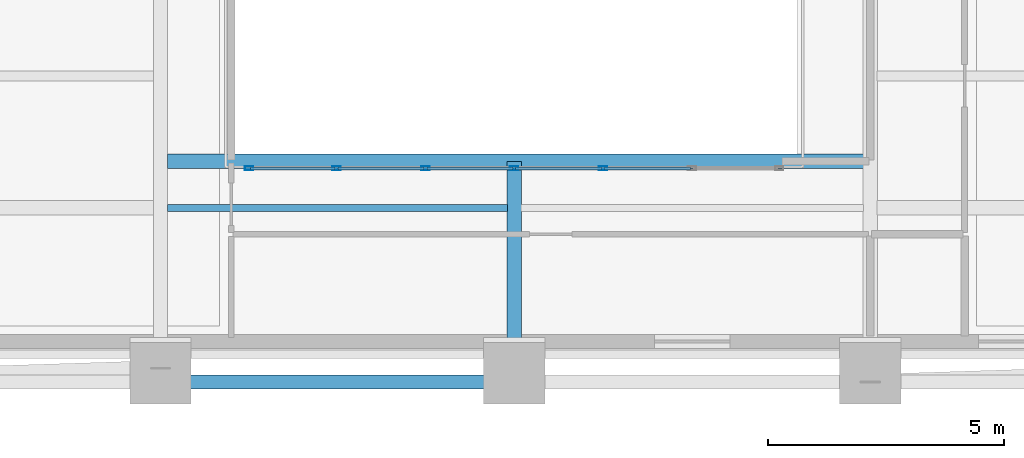
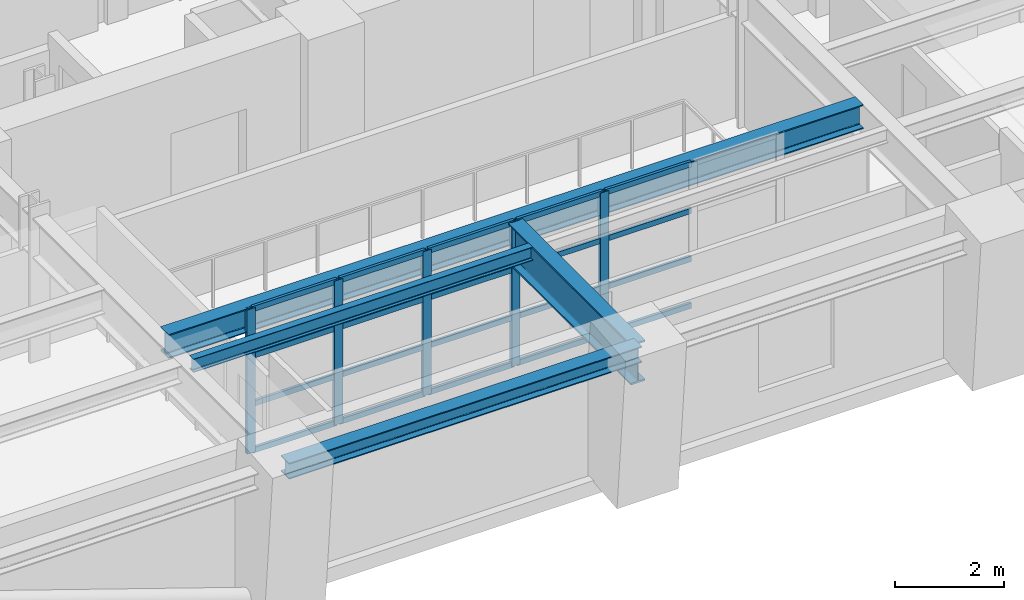
# One storey, part 2 of 14: 25 members, 4 beams, 1 element without a shape of its own.
"""IFC4 building model written with IfcOpenShell, lengths in metres."""

from ifc_helpers import new_model, si_unit, direction, frame, origin, origin_2d, place, context, subcontext, project, spatial, hollow_rectangle, i_section, extrude, material, layer, layer_set, material_profile, profile_set, type_object, element, aggregate, save


model = new_model("IFC4")

# Units and contexts
model_context = context("Model", 3, precision=1e-05, world=origin(), true_north=direction((0.0, 1.0)))
body_context = subcontext(model_context, "Body", "Model", "MODEL_VIEW")
ifc_project = project(units=[si_unit("LENGTHUNIT", "METRE"), si_unit("AREAUNIT", "SQUARE_METRE"), si_unit("VOLUMEUNIT", "CUBIC_METRE"), si_unit("PLANEANGLEUNIT", "RADIAN"), si_unit("MASSUNIT", "GRAM", prefix="KILO")], contexts=[model_context])

# Site, building, storey
site_placement = place(None, origin())
site = spatial("IfcSite", under=ifc_project, at=site_placement, CompositionType="ELEMENT")
building_placement = place(site_placement, origin())
building = spatial("IfcBuilding", under=site, at=building_placement, Name="Zarnavel Station Tower", CompositionType="ELEMENT")
storey_placement = place(building_placement, frame((0.0, 0.0, 108.300048828125)))
storey = spatial("IfcBuildingStorey", under=building, at=storey_placement, Name="L29", CompositionType="ELEMENT", Elevation=108.300048828125)

# Curtain wall, members
ifc_material_1 = material(Name="Aluminium Dark Anodised and Solar-Control Glass", Category="aluminium")
ifc_layer = layer(ifc_material_1, 0.179931640625)
ifc_layer_set = layer_set([ifc_layer], Name="CWS3")
curtain_wall_type = type_object("IfcCurtainWallType", Name="CWS3", PredefinedType="NOTDEFINED", material=ifc_layer_set)
curtain_wall_placement = place(storey_placement, origin())
curtain_wall = element("IfcCurtainWall", 1, at=curtain_wall_placement, inside=storey, type_object=curtain_wall_type, Name="L29 Curtain Wall CWS3-L29-AS", PredefinedType="NOTDEFINED")
ifc_material_2 = material(Name="Steel S355J2 (Black Fluoropolymer Coated)", Category="steel")
ifc_material_profile_1 = material_profile(ifc_material_2, hollow_rectangle(XDim=0.080078125, YDim=0.179931640625, WallThickness=0.00634765625, at=origin_2d()), Name="RHS180x80x6.3")
ifc_profile_set_1 = profile_set([ifc_material_profile_1], Name="Steel S355J2 (Black Fluoropolymer Coated)")
member_type_1 = type_object("IfcMemberType", Name="CWS3_MUL", PredefinedType="MULLION", material=ifc_profile_set_1)
member_1_placement = place(storey_placement, frame((23.179931640625, 20.64990234375, 0.0), z_axis=(0.0, 0.0, 1.0), x_axis=(0.0, 1.0, 0.0)))
member_1 = element("IfcMember", 2, at=member_1_placement, type_object=member_type_1, Name="CW3 mullion 1", PredefinedType="MULLION", context=body_context, shape_type="SweptSolid", body=[
    extrude(hollow_rectangle(XDim=0.080078125, YDim=0.179931640625, WallThickness=0.00634765625, at=origin_2d()), origin(), (0.0, 0.0, 1.0), 3.239990234375),
])
member_2_placement = place(storey_placement, frame((25.033447265625, 20.64990234375, 0.0), z_axis=(0.0, 0.0, 1.0), x_axis=(0.0, 1.0, 0.0)))
member_2 = element("IfcMember", 3, at=member_2_placement, type_object=member_type_1, Name="CW3 mullion 2", PredefinedType="MULLION", context=body_context, shape_type="SweptSolid", body=[
    extrude(hollow_rectangle(XDim=0.080078125, YDim=0.179931640625, WallThickness=0.00634765625, at=origin_2d()), origin(), (0.0, 0.0, 1.0), 3.239990234375),
])
member_3_placement = place(storey_placement, frame((26.916748046875, 20.64990234375, 0.0), z_axis=(0.0, 0.0, 1.0), x_axis=(0.0, 1.0, 0.0)))
member_3 = element("IfcMember", 4, at=member_3_placement, type_object=member_type_1, Name="CW3 mullion 3", PredefinedType="MULLION", context=body_context, shape_type="SweptSolid", body=[
    extrude(hollow_rectangle(XDim=0.080078125, YDim=0.179931640625, WallThickness=0.00634765625, at=origin_2d()), origin(), (0.0, 0.0, 1.0), 3.239990234375),
])
member_4_placement = place(storey_placement, frame((28.800048828125, 20.64990234375, 0.0), z_axis=(0.0, 0.0, 1.0), x_axis=(0.0, 1.0, 0.0)))
member_4 = element("IfcMember", 5, at=member_4_placement, type_object=member_type_1, Name="CW3 mullion 4", PredefinedType="MULLION", context=body_context, shape_type="SweptSolid", body=[
    extrude(hollow_rectangle(XDim=0.080078125, YDim=0.179931640625, WallThickness=0.00634765625, at=origin_2d()), origin(), (0.0, 0.0, 1.0), 3.239990234375),
])
member_5_placement = place(storey_placement, frame((30.683349609375, 20.64990234375, 0.0), z_axis=(0.0, 0.0, 1.0), x_axis=(0.0, 1.0, 0.0)))
member_5 = element("IfcMember", 6, at=member_5_placement, type_object=member_type_1, Name="CW3 mullion 5", PredefinedType="MULLION", context=body_context, shape_type="SweptSolid", body=[
    extrude(hollow_rectangle(XDim=0.080078125, YDim=0.179931640625, WallThickness=0.00634765625, at=origin_2d()), origin(), (0.0, 0.0, 1.0), 3.239990234375),
])
ifc_material_3 = material(Name="Steel S355J2 (Black Fluoropolymer Coated)", Category="steel")
ifc_material_profile_2 = material_profile(ifc_material_3, hollow_rectangle(XDim=0.06005859375, YDim=0.1201171875, WallThickness=0.0048828125, at=origin_2d()), Name="RHS120x60x5")
ifc_profile_set_2 = profile_set([ifc_material_profile_2], Name="Steel S355J2 (Black Fluoropolymer Coated)")
member_type_2 = type_object("IfcMemberType", Name="CWS3_TRN", PredefinedType="USERDEFINED", material=ifc_profile_set_2)
member_6_placement = place(storey_placement, frame((23.2099609375, 20.64990234375, 0.030029296875), z_axis=(1.0, 0.0, 0.0), x_axis=(0.0, 1.0, 0.0)))
member_6 = element("IfcMember", 7, at=member_6_placement, type_object=member_type_2, Name="CW3 transom 1.1", ObjectType="TRANSOM", PredefinedType="USERDEFINED", context=body_context, shape_type="SweptSolid", body=[
    extrude(hollow_rectangle(XDim=0.06005859375, YDim=0.1201171875, WallThickness=0.0048828125, at=origin_2d()), origin(), (0.0, 0.0, 1.0), 1.79345703125),
])
member_7_placement = place(storey_placement, frame((23.2099609375, 20.64990234375, 1.079833984375), z_axis=(1.0, 0.0, 0.0), x_axis=(0.0, 1.0, 0.0)))
member_7 = element("IfcMember", 8, at=member_7_placement, type_object=member_type_2, Name="CW3 transom 1.2", ObjectType="TRANSOM", PredefinedType="USERDEFINED", context=body_context, shape_type="SweptSolid", body=[
    extrude(hollow_rectangle(XDim=0.06005859375, YDim=0.1201171875, WallThickness=0.0048828125, at=origin_2d()), origin(), (0.0, 0.0, 1.0), 1.79345703125),
])
member_8_placement = place(storey_placement, frame((23.2099609375, 20.64990234375, 2.159912109375), z_axis=(1.0, 0.0, 0.0), x_axis=(0.0, 1.0, 0.0)))
member_8 = element("IfcMember", 9, at=member_8_placement, type_object=member_type_2, Name="CW3 transom 1.3", ObjectType="TRANSOM", PredefinedType="USERDEFINED", context=body_context, shape_type="SweptSolid", body=[
    extrude(hollow_rectangle(XDim=0.06005859375, YDim=0.1201171875, WallThickness=0.0048828125, at=origin_2d()), origin(), (0.0, 0.0, 1.0), 1.79345703125),
])
member_9_placement = place(storey_placement, frame((23.2099609375, 20.64990234375, 3.2099609375), z_axis=(1.0, 0.0, 0.0), x_axis=(0.0, 1.0, 0.0)))
member_9 = element("IfcMember", 10, at=member_9_placement, type_object=member_type_2, Name="CW3 transom 1.4", ObjectType="TRANSOM", PredefinedType="USERDEFINED", context=body_context, shape_type="SweptSolid", body=[
    extrude(hollow_rectangle(XDim=0.06005859375, YDim=0.1201171875, WallThickness=0.0048828125, at=origin_2d()), origin(), (0.0, 0.0, 1.0), 1.79345703125),
])
member_10_placement = place(storey_placement, frame((25.063232421875, 20.64990234375, 0.030029296875), z_axis=(1.0, 0.0, 0.0), x_axis=(0.0, 1.0, 0.0)))
member_10 = element("IfcMember", 11, at=member_10_placement, type_object=member_type_2, Name="CW3 transom 2.1", ObjectType="TRANSOM", PredefinedType="USERDEFINED", context=body_context, shape_type="SweptSolid", body=[
    extrude(hollow_rectangle(XDim=0.06005859375, YDim=0.1201171875, WallThickness=0.0048828125, at=origin_2d()), origin(), (0.0, 0.0, 1.0), 1.823486328125),
])
member_11_placement = place(storey_placement, frame((25.063232421875, 20.64990234375, 1.079833984375), z_axis=(1.0, 0.0, 0.0), x_axis=(0.0, 1.0, 0.0)))
member_11 = element("IfcMember", 12, at=member_11_placement, type_object=member_type_2, Name="CW3 transom 2.2", ObjectType="TRANSOM", PredefinedType="USERDEFINED", context=body_context, shape_type="SweptSolid", body=[
    extrude(hollow_rectangle(XDim=0.06005859375, YDim=0.1201171875, WallThickness=0.0048828125, at=origin_2d()), origin(), (0.0, 0.0, 1.0), 1.823486328125),
])
member_12_placement = place(storey_placement, frame((25.063232421875, 20.64990234375, 2.159912109375), z_axis=(1.0, 0.0, 0.0), x_axis=(0.0, 1.0, 0.0)))
member_12 = element("IfcMember", 13, at=member_12_placement, type_object=member_type_2, Name="CW3 transom 2.3", ObjectType="TRANSOM", PredefinedType="USERDEFINED", context=body_context, shape_type="SweptSolid", body=[
    extrude(hollow_rectangle(XDim=0.06005859375, YDim=0.1201171875, WallThickness=0.0048828125, at=origin_2d()), origin(), (0.0, 0.0, 1.0), 1.823486328125),
])
member_13_placement = place(storey_placement, frame((25.063232421875, 20.64990234375, 3.2099609375), z_axis=(1.0, 0.0, 0.0), x_axis=(0.0, 1.0, 0.0)))
member_13 = element("IfcMember", 14, at=member_13_placement, type_object=member_type_2, Name="CW3 transom 2.4", ObjectType="TRANSOM", PredefinedType="USERDEFINED", context=body_context, shape_type="SweptSolid", body=[
    extrude(hollow_rectangle(XDim=0.06005859375, YDim=0.1201171875, WallThickness=0.0048828125, at=origin_2d()), origin(), (0.0, 0.0, 1.0), 1.823486328125),
])
member_14_placement = place(storey_placement, frame((26.94677734375, 20.64990234375, 0.030029296875), z_axis=(1.0, 0.0, 0.0), x_axis=(0.0, 1.0, 0.0)))
member_14 = element("IfcMember", 15, at=member_14_placement, type_object=member_type_2, Name="CW3 transom 3.1", ObjectType="TRANSOM", PredefinedType="USERDEFINED", context=body_context, shape_type="SweptSolid", body=[
    extrude(hollow_rectangle(XDim=0.06005859375, YDim=0.1201171875, WallThickness=0.0048828125, at=origin_2d()), origin(), (0.0, 0.0, 1.0), 1.8232421875),
])
member_15_placement = place(storey_placement, frame((26.94677734375, 20.64990234375, 1.079833984375), z_axis=(1.0, 0.0, 0.0), x_axis=(0.0, 1.0, 0.0)))
member_15 = element("IfcMember", 16, at=member_15_placement, type_object=member_type_2, Name="CW3 transom 3.2", ObjectType="TRANSOM", PredefinedType="USERDEFINED", context=body_context, shape_type="SweptSolid", body=[
    extrude(hollow_rectangle(XDim=0.06005859375, YDim=0.1201171875, WallThickness=0.0048828125, at=origin_2d()), origin(), (0.0, 0.0, 1.0), 1.8232421875),
])
member_16_placement = place(storey_placement, frame((26.94677734375, 20.64990234375, 2.159912109375), z_axis=(1.0, 0.0, 0.0), x_axis=(0.0, 1.0, 0.0)))
member_16 = element("IfcMember", 17, at=member_16_placement, type_object=member_type_2, Name="CW3 transom 3.3", ObjectType="TRANSOM", PredefinedType="USERDEFINED", context=body_context, shape_type="SweptSolid", body=[
    extrude(hollow_rectangle(XDim=0.06005859375, YDim=0.1201171875, WallThickness=0.0048828125, at=origin_2d()), origin(), (0.0, 0.0, 1.0), 1.8232421875),
])
member_17_placement = place(storey_placement, frame((26.94677734375, 20.64990234375, 3.2099609375), z_axis=(1.0, 0.0, 0.0), x_axis=(0.0, 1.0, 0.0)))
member_17 = element("IfcMember", 18, at=member_17_placement, type_object=member_type_2, Name="CW3 transom 3.4", ObjectType="TRANSOM", PredefinedType="USERDEFINED", context=body_context, shape_type="SweptSolid", body=[
    extrude(hollow_rectangle(XDim=0.06005859375, YDim=0.1201171875, WallThickness=0.0048828125, at=origin_2d()), origin(), (0.0, 0.0, 1.0), 1.8232421875),
])
member_18_placement = place(storey_placement, frame((28.830078125, 20.64990234375, 0.030029296875), z_axis=(1.0, 0.0, 0.0), x_axis=(0.0, 1.0, 0.0)))
member_18 = element("IfcMember", 19, at=member_18_placement, type_object=member_type_2, Name="CW3 transom 4.1", ObjectType="TRANSOM", PredefinedType="USERDEFINED", context=body_context, shape_type="SweptSolid", body=[
    extrude(hollow_rectangle(XDim=0.06005859375, YDim=0.1201171875, WallThickness=0.0048828125, at=origin_2d()), origin(), (0.0, 0.0, 1.0), 1.8232421875),
])
member_19_placement = place(storey_placement, frame((28.830078125, 20.64990234375, 1.079833984375), z_axis=(1.0, 0.0, 0.0), x_axis=(0.0, 1.0, 0.0)))
member_19 = element("IfcMember", 20, at=member_19_placement, type_object=member_type_2, Name="CW3 transom 4.2", ObjectType="TRANSOM", PredefinedType="USERDEFINED", context=body_context, shape_type="SweptSolid", body=[
    extrude(hollow_rectangle(XDim=0.06005859375, YDim=0.1201171875, WallThickness=0.0048828125, at=origin_2d()), origin(), (0.0, 0.0, 1.0), 1.8232421875),
])
member_20_placement = place(storey_placement, frame((28.830078125, 20.64990234375, 2.159912109375), z_axis=(1.0, 0.0, 0.0), x_axis=(0.0, 1.0, 0.0)))
member_20 = element("IfcMember", 21, at=member_20_placement, type_object=member_type_2, Name="CW3 transom 4.3", ObjectType="TRANSOM", PredefinedType="USERDEFINED", context=body_context, shape_type="SweptSolid", body=[
    extrude(hollow_rectangle(XDim=0.06005859375, YDim=0.1201171875, WallThickness=0.0048828125, at=origin_2d()), origin(), (0.0, 0.0, 1.0), 1.8232421875),
])
member_21_placement = place(storey_placement, frame((28.830078125, 20.64990234375, 3.2099609375), z_axis=(1.0, 0.0, 0.0), x_axis=(0.0, 1.0, 0.0)))
member_21 = element("IfcMember", 22, at=member_21_placement, type_object=member_type_2, Name="CW3 transom 4.4", ObjectType="TRANSOM", PredefinedType="USERDEFINED", context=body_context, shape_type="SweptSolid", body=[
    extrude(hollow_rectangle(XDim=0.06005859375, YDim=0.1201171875, WallThickness=0.0048828125, at=origin_2d()), origin(), (0.0, 0.0, 1.0), 1.8232421875),
])
member_22_placement = place(storey_placement, frame((30.71337890625, 20.64990234375, 0.030029296875), z_axis=(1.0, 0.0, 0.0), x_axis=(0.0, 1.0, 0.0)))
member_22 = element("IfcMember", 23, at=member_22_placement, type_object=member_type_2, Name="CW3 transom 5.1", ObjectType="TRANSOM", PredefinedType="USERDEFINED", context=body_context, shape_type="SweptSolid", body=[
    extrude(hollow_rectangle(XDim=0.06005859375, YDim=0.1201171875, WallThickness=0.0048828125, at=origin_2d()), origin(), (0.0, 0.0, 1.0), 1.8232421875),
])
member_23_placement = place(storey_placement, frame((30.71337890625, 20.64990234375, 1.079833984375), z_axis=(1.0, 0.0, 0.0), x_axis=(0.0, 1.0, 0.0)))
member_23 = element("IfcMember", 24, at=member_23_placement, type_object=member_type_2, Name="CW3 transom 5.2", ObjectType="TRANSOM", PredefinedType="USERDEFINED", context=body_context, shape_type="SweptSolid", body=[
    extrude(hollow_rectangle(XDim=0.06005859375, YDim=0.1201171875, WallThickness=0.0048828125, at=origin_2d()), origin(), (0.0, 0.0, 1.0), 1.8232421875),
])
member_24_placement = place(storey_placement, frame((30.71337890625, 20.64990234375, 2.159912109375), z_axis=(1.0, 0.0, 0.0), x_axis=(0.0, 1.0, 0.0)))
member_24 = element("IfcMember", 25, at=member_24_placement, type_object=member_type_2, Name="CW3 transom 5.3", ObjectType="TRANSOM", PredefinedType="USERDEFINED", context=body_context, shape_type="SweptSolid", body=[
    extrude(hollow_rectangle(XDim=0.06005859375, YDim=0.1201171875, WallThickness=0.0048828125, at=origin_2d()), origin(), (0.0, 0.0, 1.0), 1.8232421875),
])
member_25_placement = place(storey_placement, frame((30.71337890625, 20.64990234375, 3.2099609375), z_axis=(1.0, 0.0, 0.0), x_axis=(0.0, 1.0, 0.0)))
member_25 = element("IfcMember", 26, at=member_25_placement, type_object=member_type_2, Name="CW3 transom 5.4", ObjectType="TRANSOM", PredefinedType="USERDEFINED", context=body_context, shape_type="SweptSolid", body=[
    extrude(hollow_rectangle(XDim=0.06005859375, YDim=0.1201171875, WallThickness=0.0048828125, at=origin_2d()), origin(), (0.0, 0.0, 1.0), 1.8232421875),
])
aggregate(curtain_wall, [member_1, member_2, member_3, member_4, member_5, member_6, member_7, member_8, member_9, member_10, member_11, member_12, member_13, member_14, member_15, member_16, member_17, member_18, member_19, member_20, member_21, member_22, member_23, member_24, member_25])

# Beams
ifc_material_4 = material(Name="Steel S355J2", Category="steel")
ifc_material_profile_3 = material_profile(ifc_material_4, i_section(OverallWidth=0.300048828125, OverallDepth=0.360107421875, WebThickness=0.012451171875, FlangeThickness=0.0224609375, FilletRadius=0.027099609375, at=origin_2d()), Name="HEB360")
ifc_profile_set_3 = profile_set([ifc_material_profile_3], Name="Steel S355J2")
beam_type_1 = type_object("IfcBeamType", Name="EB_HEB360", PredefinedType="SPANDREL", material=ifc_profile_set_3)
beam_1_placement = place(storey_placement, frame((21.300048828125, 16.1201171875, 3.06005859375), z_axis=(1.0, 0.0, 0.0), x_axis=(0.0, 1.0, 0.0)))
element("IfcBeam", 27, at=beam_1_placement, inside=storey, type_object=beam_type_1, Name="L29 South Raked Spandrel 2", PredefinedType="SPANDREL", context=body_context, shape_type="SweptSolid", body=[
    extrude(i_section(OverallWidth=0.300048828125, OverallDepth=0.360107421875, WebThickness=0.012451171875, FlangeThickness=0.0224609375, FilletRadius=0.027099609375, at=origin_2d()), origin(), (0.0, 0.0, 1.0), 7.5),
])
ifc_material_5 = material(Name="Steel S355J2", Category="steel")
ifc_material_profile_4 = material_profile(ifc_material_5, i_section(OverallWidth=0.300048828125, OverallDepth=0.5400390625, WebThickness=0.012451171875, FlangeThickness=0.02392578125, FilletRadius=0.027099609375, at=origin_2d()), Name="HEA550")
ifc_profile_set_4 = profile_set([ifc_material_profile_4], Name="Steel S355J2")
beam_type_2 = type_object("IfcBeamType", Name="FB_HEA550", PredefinedType="BEAM", material=ifc_profile_set_4)
beam_2_placement = place(storey_placement, frame((21.445068359375, 20.800048828125, 2.969970703125), z_axis=(1.0, 0.0, 0.0), x_axis=(0.0, 1.0, 0.0)))
element("IfcBeam", 28, at=beam_2_placement, inside=storey, type_object=beam_type_2, Name="L29 Atrium South Edge Girder", PredefinedType="BEAM", context=body_context, shape_type="SweptSolid", body=[
    extrude(i_section(OverallWidth=0.300048828125, OverallDepth=0.5400390625, WebThickness=0.012451171875, FlangeThickness=0.02392578125, FilletRadius=0.027099609375, at=origin_2d()), origin(), (0.0, 0.0, 1.0), 14.760009765625),
])
ifc_material_6 = material(Name="Steel S355J2", Category="steel")
ifc_material_profile_5 = material_profile(ifc_material_6, i_section(OverallWidth=0.14990234375, OverallDepth=0.300048828125, WebThickness=0.007080078125, FlangeThickness=0.0107421875, FilletRadius=0.014892578125, at=origin_2d()), Name="IPE300")
ifc_profile_set_5 = profile_set([ifc_material_profile_5], Name="Steel S355J2")
beam_type_3 = type_object("IfcBeamType", Name="FJ_IPE300", PredefinedType="JOIST", material=ifc_profile_set_5)
beam_3_placement = place(storey_placement, frame((21.445068359375, 19.8134765625, 3.08984375), z_axis=(1.0, 0.0, 0.0), x_axis=(0.0, 1.0, 0.0)))
element("IfcBeam", 29, at=beam_3_placement, inside=storey, type_object=beam_type_3, Name="L29 Mid-West Joist 1", PredefinedType="JOIST", context=body_context, shape_type="SweptSolid", body=[
    extrude(i_section(OverallWidth=0.14990234375, OverallDepth=0.300048828125, WebThickness=0.007080078125, FlangeThickness=0.0107421875, FilletRadius=0.014892578125, at=origin_2d()), origin(), (0.0, 0.0, 1.0), 7.2099609375),
])
ifc_material_7 = material(Name="Steel S460M", Category="steel")
ifc_material_profile_6 = material_profile(ifc_material_7, i_section(OverallWidth=0.302001953125, OverallDepth=0.909912109375, WebThickness=0.02099609375, FlangeThickness=0.0400390625, FilletRadius=0.030029296875, at=origin_2d()), Name="HEM900")
ifc_profile_set_6 = profile_set([ifc_material_profile_6], Name="Steel S460M")
beam_type_4 = type_object("IfcBeamType", Name="TG_HEM900", PredefinedType="USERDEFINED", material=ifc_profile_set_6)
beam_4_placement = place(storey_placement, frame((28.800048828125, 16.1201171875, 2.784912109375), z_axis=(0.0, 1.0, 0.0), x_axis=(-1.0, 0.0, 0.0)))
element("IfcBeam", 30, at=beam_4_placement, inside=storey, type_object=beam_type_4, Name="L29 Central Atrium-South Girder", ObjectType="GIRDER", PredefinedType="USERDEFINED", context=body_context, shape_type="SweptSolid", body=[
    extrude(i_section(OverallWidth=0.302001953125, OverallDepth=0.909912109375, WebThickness=0.02099609375, FlangeThickness=0.0400390625, FilletRadius=0.030029296875, at=origin_2d()), origin(), (0.0, 0.0, 1.0), 4.679931640625),
])

save(model, "model.ifc")
